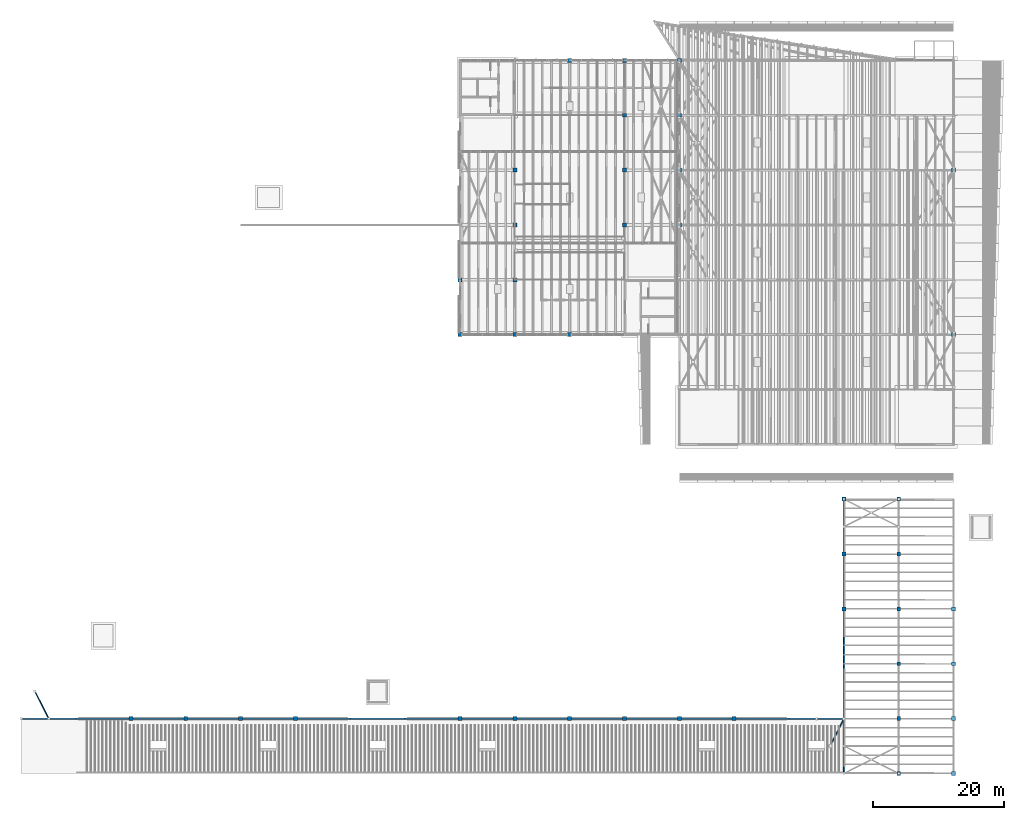
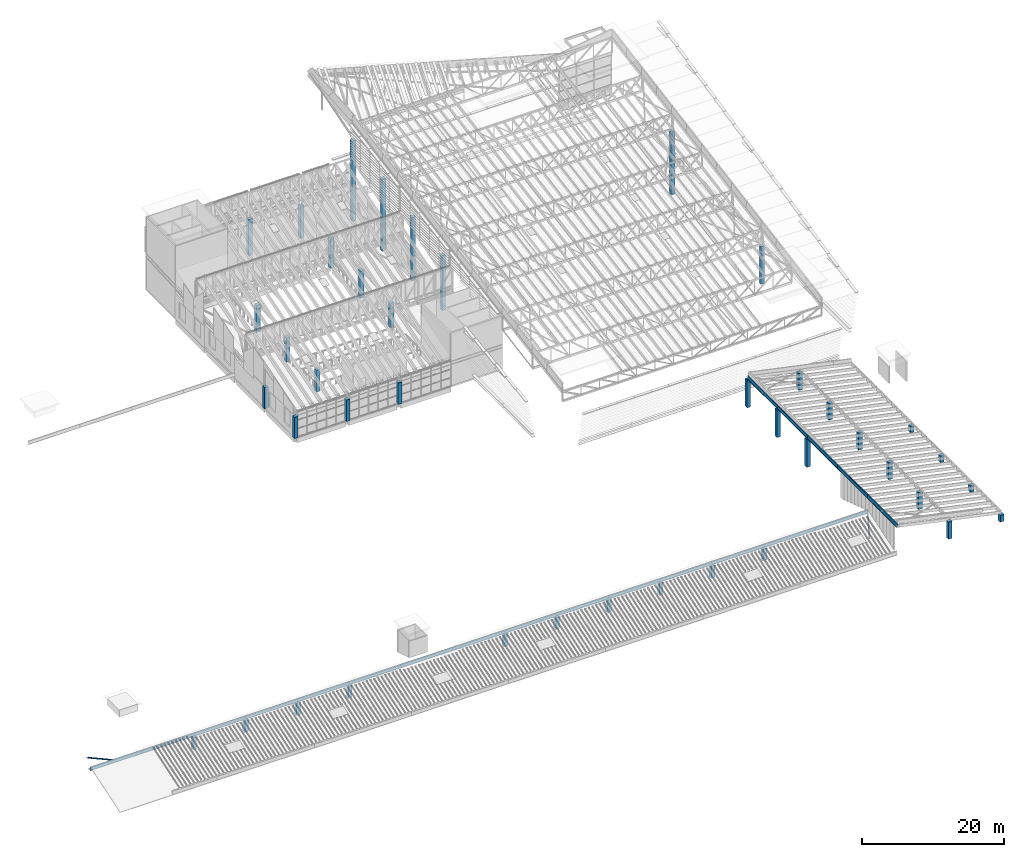
# One storey, part 1 of 91: 41 columns, 20 beams, 2 members.
"""IFC4 building model written with IfcOpenShell, lengths in metres."""

from ifc_helpers import new_model, si_unit, direction, frame, origin, origin_2d, place, context, subcontext, project, spatial, rectangle, hollow_circle, i_section, extrude, material, material_profile, profile_set, type_object, element, save


model = new_model("IFC4")

# Units and contexts
model_context = context("Model", 3, precision=1e-05, world=origin(), true_north=direction((0.0, 1.0)))
body_context = subcontext(model_context, "Body", "Model", "MODEL_VIEW")
ifc_project = project(units=[si_unit("LENGTHUNIT", "METRE"), si_unit("AREAUNIT", "SQUARE_METRE"), si_unit("VOLUMEUNIT", "CUBIC_METRE"), si_unit("PLANEANGLEUNIT", "RADIAN"), si_unit("MASSUNIT", "GRAM", prefix="KILO")], contexts=[model_context])

# Site, building, storey
site_placement = place(None, origin())
site = spatial("IfcSite", under=ifc_project, at=site_placement, CompositionType="ELEMENT")
building_placement = place(site_placement, origin())
building = spatial("IfcBuilding", under=site, at=building_placement, Name="Almond Square Museum", CompositionType="ELEMENT")
storey_placement = place(building_placement, frame((0.0, 0.0, 30.0)))
storey = spatial("IfcBuildingStorey", under=building, at=storey_placement, Name="L05", CompositionType="ELEMENT", Elevation=30.0)

# Columns
ifc_material_1 = material(Name="Concrete C40/50", Category="concrete")
ifc_material_profile_1 = material_profile(ifc_material_1, rectangle(XDim=0.60009765625, YDim=0.60009765625, at=origin_2d()))
ifc_profile_set_1 = profile_set([ifc_material_profile_1], Name="Concrete C40/50")
column_type = type_object("IfcColumnType", Name="RC column 600 x 600 C40/50", PredefinedType="COLUMN", material=ifc_profile_set_1)
for number, where, z_axis, x_axis, name in (
    (1, (22.800048828125, 8.39990234375, 0.0), (0.0, 0.0, 1.0), (1.0, 0.0, 0.0), "Column 4-B L05"),
    (2, (31.199951171875, 8.39990234375, 0.0), (0.0, 0.0, 1.0), (1.0, 0.0, 0.0), "Column 5-B L05"),
    (3, (39.60009765625, 8.39990234375, 0.0), (0.0, 0.0, 1.0), (1.0, 0.0, 0.0), "Column 6-B L05"),
    (4, (48.0, 8.39990234375, 0.0), (0.0, 0.0, 1.0), (1.0, 0.0, 0.0), "Column 7-B L05"),
    (5, (73.199951171875, 8.39990234375, 0.0), (0.0, 0.0, 1.0), (1.0, 0.0, 0.0), "Column 10-B L05"),
    (6, (81.60009765625, 8.39990234375, 0.0), (0.0, 0.0, 1.0), (1.0, 0.0, 0.0), "Column 11-B L05"),
    (7, (90.0, 8.39990234375, 0.0), (0.0, 0.0, 1.0), (1.0, 0.0, 0.0), "Column 12-B L05"),
    (8, (98.39990234375, 8.39990234375, 0.0), (0.0, 0.0, 1.0), (1.0, 0.0, 0.0), "Column 13-B L05"),
    (9, (106.800048828125, 8.39990234375, 0.0), (0.0, 0.0, 1.0), (1.0, 0.0, 0.0), "Column 14-B L05"),
    (10, (115.199951171875, 8.39990234375, 0.0), (0.0, 0.0, 1.0), (1.0, 0.0, 0.0), "Column 15-B L05"),
):
    element("IfcColumn", number, at=place(storey_placement, frame(where, z_axis=z_axis, x_axis=x_axis)), inside=storey, type_object=column_type, Name=name, PredefinedType="COLUMN", context=body_context, shape_type="SweptSolid", body=[
        extrude(rectangle(XDim=0.60009765625, YDim=0.60009765625, at=origin_2d()), origin(), (0.0, 0.0, 1.0), 2.097412109375),
    ])
for number, where, z_axis, x_axis, name in (
    (11, (132.0, 25.199951171875, 0.0), (0.0, 0.0, 1.0), (1.0, 0.0, 0.0), "Column 17-D L05"),
    (12, (132.0, 33.60009765625, 0.0), (0.0, 0.0, 1.0), (1.0, 0.0, 0.0), "Column 17-E L05"),
    (13, (132.0, 42.0, 0.0), (0.0, 0.0, 1.0), (1.0, 0.0, 0.0), "Column 17-F L05"),
):
    element("IfcColumn", number, at=place(storey_placement, frame(where, z_axis=z_axis, x_axis=x_axis)), inside=storey, type_object=column_type, Name=name, PredefinedType="COLUMN", context=body_context, shape_type="SweptSolid", body=[
        extrude(rectangle(XDim=0.60009765625, YDim=0.60009765625, at=origin_2d()), origin(), (0.0, 0.0, 1.0), 4.7099609375),
    ])
for number, where, z_axis, x_axis, name in (
    (14, (140.39990234375, 0.0, 0.0), (0.0, 0.0, 1.0), (1.0, 0.0, 0.0), "Column 18-A L05"),
    (15, (140.39990234375, 8.39990234375, 0.0), (0.0, 0.0, 1.0), (1.0, 0.0, 0.0), "Column 18-B L05"),
    (16, (140.39990234375, 16.800048828125, 0.0), (0.0, 0.0, 1.0), (1.0, 0.0, 0.0), "Column 18-C L05"),
    (17, (140.39990234375, 25.199951171875, 0.0), (0.0, 0.0, 1.0), (1.0, 0.0, 0.0), "Column 18-D L05"),
    (18, (140.39990234375, 33.60009765625, 0.0), (0.0, 0.0, 1.0), (1.0, 0.0, 0.0), "Column 18-E L05"),
    (19, (140.39990234375, 42.0, 0.0), (0.0, 0.0, 1.0), (1.0, 0.0, 0.0), "Column 18-F L05"),
):
    element("IfcColumn", number, at=place(storey_placement, frame(where, z_axis=z_axis, x_axis=x_axis)), inside=storey, type_object=column_type, Name=name, PredefinedType="COLUMN", context=body_context, shape_type="SweptSolid", body=[
        extrude(rectangle(XDim=0.60009765625, YDim=0.60009765625, at=origin_2d()), origin(), (0.0, 0.0, 1.0), 2.925048828125),
    ])
for number, where, z_axis, x_axis, name in (
    (20, (148.800048828125, 0.0, 0.0), (0.0, 0.0, 1.0), (1.0, 0.0, 0.0), "Column 19-A L05"),
    (21, (148.800048828125, 8.39990234375, 0.0), (0.0, 0.0, 1.0), (1.0, 0.0, 0.0), "Column 19-B L05"),
    (22, (148.800048828125, 16.800048828125, 0.0), (0.0, 0.0, 1.0), (1.0, 0.0, 0.0), "Column 19-C L05"),
    (23, (148.800048828125, 25.199951171875, 0.0), (0.0, 0.0, 1.0), (1.0, 0.0, 0.0), "Column 19-D L05"),
):
    element("IfcColumn", number, at=place(storey_placement, frame(where, z_axis=z_axis, x_axis=x_axis)), inside=storey, type_object=column_type, Name=name, PredefinedType="COLUMN", context=body_context, shape_type="SweptSolid", body=[
        extrude(rectangle(XDim=0.60009765625, YDim=0.60009765625, at=origin_2d()), origin(), (0.0, 0.0, 1.0), 1.137451171875),
    ])
column_1_placement = place(storey_placement, frame((73.199951171875, 67.199951171875, 0.0), z_axis=(0.0, 0.0, 1.0), x_axis=(1.0, 0.0, 0.0)))
element("IfcColumn", 24, at=column_1_placement, inside=storey, type_object=column_type, Name="Column 10-I L05 (atrium south eave beam)", PredefinedType="COLUMN", context=body_context, shape_type="SweptSolid", body=[
    extrude(rectangle(XDim=0.60009765625, YDim=0.60009765625, at=origin_2d()), origin(), (0.0, 0.0, 1.0), 3.67041015625),
])
column_2_placement = place(storey_placement, frame((73.199951171875, 75.60009765625, 0.0), z_axis=(0.0, 0.0, 1.0), x_axis=(1.0, 0.0, 0.0)))
element("IfcColumn", 25, at=column_2_placement, inside=storey, type_object=column_type, Name="Column 10-J L05 (atrium roof girder)", PredefinedType="COLUMN", context=body_context, shape_type="SweptSolid", body=[
    extrude(rectangle(XDim=0.60009765625, YDim=0.60009765625, at=origin_2d()), origin(), (0.0, 0.0, 1.0), 3.6533203125),
])
column_3_placement = place(storey_placement, frame((81.60009765625, 67.199951171875, 0.0), z_axis=(0.0, 0.0, 1.0), x_axis=(1.0, 0.0, 0.0)))
element("IfcColumn", 26, at=column_3_placement, inside=storey, type_object=column_type, Name="Column 11-I L05 (atrium south eave beam)", PredefinedType="COLUMN", context=body_context, shape_type="SweptSolid", body=[
    extrude(rectangle(XDim=0.60009765625, YDim=0.60009765625, at=origin_2d()), origin(), (0.0, 0.0, 1.0), 3.67041015625),
])
column_4_placement = place(storey_placement, frame((81.60009765625, 75.60009765625, 0.0), z_axis=(0.0, 0.0, 1.0), x_axis=(1.0, 0.0, 0.0)))
element("IfcColumn", 27, at=column_4_placement, inside=storey, type_object=column_type, Name="Column 11-J L05 (atrium roof girder)", PredefinedType="COLUMN", context=body_context, shape_type="SweptSolid", body=[
    extrude(rectangle(XDim=0.60009765625, YDim=0.60009765625, at=origin_2d()), origin(), (0.0, 0.0, 1.0), 3.6533203125),
])
column_5_placement = place(storey_placement, frame((81.60009765625, 84.0, 0.0), z_axis=(0.0, 0.0, 1.0), x_axis=(1.0, 0.0, 0.0)))
element("IfcColumn", 28, at=column_5_placement, inside=storey, type_object=column_type, Name="Column 11-K L05 (atrium roof girder)", PredefinedType="COLUMN", context=body_context, shape_type="SweptSolid", body=[
    extrude(rectangle(XDim=0.60009765625, YDim=0.60009765625, at=origin_2d()), origin(), (0.0, 0.0, 1.0), 4.13330078125),
])
column_6_placement = place(storey_placement, frame((81.60009765625, 92.39990234375, 0.0), z_axis=(0.0, 0.0, 1.0), x_axis=(1.0, 0.0, 0.0)))
element("IfcColumn", 29, at=column_6_placement, inside=storey, type_object=column_type, Name="Column 11-L L05 (atrium roof girder)", PredefinedType="COLUMN", context=body_context, shape_type="SweptSolid", body=[
    extrude(rectangle(XDim=0.60009765625, YDim=0.60009765625, at=origin_2d()), origin(), (0.0, 0.0, 1.0), 4.61328125),
])
column_7_placement = place(storey_placement, frame((90.0, 67.199951171875, 0.0), z_axis=(0.0, 0.0, 1.0), x_axis=(1.0, 0.0, 0.0)))
element("IfcColumn", 30, at=column_7_placement, inside=storey, type_object=column_type, Name="Column 12-I L05 (atrium south eave beam)", PredefinedType="COLUMN", context=body_context, shape_type="SweptSolid", body=[
    extrude(rectangle(XDim=0.60009765625, YDim=0.60009765625, at=origin_2d()), origin(), (0.0, 0.0, 1.0), 3.67041015625),
])
column_8_placement = place(storey_placement, frame((90.0, 109.199951171875, 0.0), z_axis=(0.0, 0.0, 1.0), x_axis=(1.0, 0.0, 0.0)))
element("IfcColumn", 31, at=column_8_placement, inside=storey, type_object=column_type, Name="Column 12-N L05 (atrium truss midspan)", PredefinedType="COLUMN", context=body_context, shape_type="SweptSolid", body=[
    extrude(rectangle(XDim=0.60009765625, YDim=0.60009765625, at=origin_2d()), origin(), (0.0, 0.0, 1.0), 6.18017578125),
])
column_9_placement = place(storey_placement, frame((98.39990234375, 84.0, 0.0), z_axis=(0.0, 0.0, 1.0), x_axis=(1.0, 0.0, 0.0)))
element("IfcColumn", 32, at=column_9_placement, inside=storey, type_object=column_type, Name="Column 13-K L05 (atrium roof girder)", PredefinedType="COLUMN", context=body_context, shape_type="SweptSolid", body=[
    extrude(rectangle(XDim=0.60009765625, YDim=0.60009765625, at=origin_2d()), origin(), (0.0, 0.0, 1.0), 4.13330078125),
])
column_10_placement = place(storey_placement, frame((98.39990234375, 92.39990234375, 0.0), z_axis=(0.0, 0.0, 1.0), x_axis=(1.0, 0.0, 0.0)))
element("IfcColumn", 33, at=column_10_placement, inside=storey, type_object=column_type, Name="Column 13-L L05 (atrium roof girder)", PredefinedType="COLUMN", context=body_context, shape_type="SweptSolid", body=[
    extrude(rectangle(XDim=0.60009765625, YDim=0.60009765625, at=origin_2d()), origin(), (0.0, 0.0, 1.0), 4.61328125),
])
column_11_placement = place(storey_placement, frame((98.39990234375, 100.800048828125, 0.0), z_axis=(0.0, 0.0, 1.0), x_axis=(1.0, 0.0, 0.0)))
element("IfcColumn", 34, at=column_11_placement, inside=storey, type_object=column_type, Name="Column 13-M L05 (atrium roof girder)", PredefinedType="COLUMN", context=body_context, shape_type="SweptSolid", body=[
    extrude(rectangle(XDim=0.60009765625, YDim=0.60009765625, at=origin_2d()), origin(), (0.0, 0.0, 1.0), 5.09326171875),
])
column_12_placement = place(storey_placement, frame((98.39990234375, 109.199951171875, 0.0), z_axis=(0.0, 0.0, 1.0), x_axis=(1.0, 0.0, 0.0)))
element("IfcColumn", 35, at=column_12_placement, inside=storey, type_object=column_type, Name="Column 13-N L05 (atrium roof girder)", PredefinedType="COLUMN", context=body_context, shape_type="SweptSolid", body=[
    extrude(rectangle(XDim=0.60009765625, YDim=0.60009765625, at=origin_2d()), origin(), (0.0, 0.0, 1.0), 5.5732421875),
])
column_13_placement = place(storey_placement, frame((106.800048828125, 84.0, 0.0), z_axis=(0.0, 0.0, 1.0), x_axis=(1.0, 0.0, 0.0)))
element("IfcColumn", 36, at=column_13_placement, inside=storey, type_object=column_type, Name="Column 14-K L05 (hall truss T4)", PredefinedType="COLUMN", context=body_context, shape_type="SweptSolid", body=[
    extrude(rectangle(XDim=0.60009765625, YDim=0.60009765625, at=origin_2d()), origin(), (0.0, 0.0, 1.0), 9.3798828125),
])
column_14_placement = place(storey_placement, frame((106.800048828125, 92.39990234375, 0.0), z_axis=(0.0, 0.0, 1.0), x_axis=(1.0, 0.0, 0.0)))
element("IfcColumn", 37, at=column_14_placement, inside=storey, type_object=column_type, Name="Column 14-L L05 (hall truss T5)", PredefinedType="COLUMN", context=body_context, shape_type="SweptSolid", body=[
    extrude(rectangle(XDim=0.60009765625, YDim=0.60009765625, at=origin_2d()), origin(), (0.0, 0.0, 1.0), 10.85009765625),
])
column_15_placement = place(storey_placement, frame((106.800048828125, 100.800048828125, 0.0), z_axis=(0.0, 0.0, 1.0), x_axis=(1.0, 0.0, 0.0)))
element("IfcColumn", 38, at=column_15_placement, inside=storey, type_object=column_type, Name="Column 14-M L05 (hall truss T6)", PredefinedType="COLUMN", context=body_context, shape_type="SweptSolid", body=[
    extrude(rectangle(XDim=0.60009765625, YDim=0.60009765625, at=origin_2d()), origin(), (0.0, 0.0, 1.0), 12.320068359375),
])
column_16_placement = place(storey_placement, frame((106.800048828125, 109.199951171875, 0.0), z_axis=(0.0, 0.0, 1.0), x_axis=(1.0, 0.0, 0.0)))
element("IfcColumn", 39, at=column_16_placement, inside=storey, type_object=column_type, Name="Column 14-N L05 (hall truss T7)", PredefinedType="COLUMN", context=body_context, shape_type="SweptSolid", body=[
    extrude(rectangle(XDim=0.60009765625, YDim=0.60009765625, at=origin_2d()), origin(), (0.0, 0.0, 1.0), 13.7900390625),
])
column_17_placement = place(storey_placement, frame((148.800048828125, 67.199951171875, 0.0), z_axis=(0.0, 0.0, 1.0), x_axis=(1.0, 0.0, 0.0)))
element("IfcColumn", 40, at=column_17_placement, inside=storey, type_object=column_type, Name="Column 19-I L05 (hall truss T2)", PredefinedType="COLUMN", context=body_context, shape_type="SweptSolid", body=[
    extrude(rectangle(XDim=0.60009765625, YDim=0.60009765625, at=origin_2d()), origin(), (0.0, 0.0, 1.0), 6.43994140625),
])
column_18_placement = place(storey_placement, frame((148.800048828125, 92.39990234375, 0.0), z_axis=(0.0, 0.0, 1.0), x_axis=(1.0, 0.0, 0.0)))
element("IfcColumn", 41, at=column_18_placement, inside=storey, type_object=column_type, Name="Column 19-L L05 (hall truss T5)", PredefinedType="COLUMN", context=body_context, shape_type="SweptSolid", body=[
    extrude(rectangle(XDim=0.60009765625, YDim=0.60009765625, at=origin_2d()), origin(), (0.0, 0.0, 1.0), 10.85009765625),
])

# Beams
ifc_material_2 = material(Name="Structural steel S355", Category="steel")
ifc_material_profile_2 = material_profile(ifc_material_2, i_section(OverallWidth=0.208984375, OverallDepth=0.532958984375, WebThickness=0.01025390625, FlangeThickness=0.015625, at=origin_2d()))
ifc_profile_set_2 = profile_set([ifc_material_profile_2], Name="Structural steel S355")
beam_type = type_object("IfcBeamType", Name="Roof beam W530x92", PredefinedType="BEAM", material=ifc_profile_set_2)
beam_1_placement = place(storey_placement, frame((6.0, 8.39990234375, 2.343994140625), z_axis=(1.0, 0.0, 0.0), x_axis=(0.0, 1.0, 0.0)))
element("IfcBeam", 42, at=beam_1_placement, inside=storey, type_object=beam_type, Name="V5S roof beam 2.1", PredefinedType="BEAM", context=body_context, shape_type="SweptSolid", body=[
    extrude(i_section(OverallWidth=0.208984375, OverallDepth=0.532958984375, WebThickness=0.01025390625, FlangeThickness=0.015625, at=origin_2d()), origin(), (0.0, 0.0, 1.0), 8.39990234375),
])
beam_2_placement = place(storey_placement, frame((14.39990234375, 8.39990234375, 2.343994140625), z_axis=(1.0, 0.0, 0.0), x_axis=(0.0, 1.0, 0.0)))
element("IfcBeam", 43, at=beam_2_placement, inside=storey, type_object=beam_type, Name="V5S roof beam 2.2", PredefinedType="BEAM", context=body_context, shape_type="SweptSolid", body=[
    extrude(i_section(OverallWidth=0.208984375, OverallDepth=0.532958984375, WebThickness=0.01025390625, FlangeThickness=0.015625, at=origin_2d()), origin(), (0.0, 0.0, 1.0), 8.400146484375),
])
beam_3_placement = place(storey_placement, frame((22.800048828125, 8.39990234375, 2.343994140625), z_axis=(1.0, 0.0, 0.0), x_axis=(0.0, 1.0, 0.0)))
element("IfcBeam", 44, at=beam_3_placement, inside=storey, type_object=beam_type, Name="V5S roof beam 2.3", PredefinedType="BEAM", context=body_context, shape_type="SweptSolid", body=[
    extrude(i_section(OverallWidth=0.208984375, OverallDepth=0.532958984375, WebThickness=0.01025390625, FlangeThickness=0.015625, at=origin_2d()), origin(), (0.0, 0.0, 1.0), 8.39990234375),
])
beam_4_placement = place(storey_placement, frame((31.199951171875, 8.39990234375, 2.343994140625), z_axis=(1.0, 0.0, 0.0), x_axis=(0.0, 1.0, 0.0)))
element("IfcBeam", 45, at=beam_4_placement, inside=storey, type_object=beam_type, Name="V5S roof beam 2.4", PredefinedType="BEAM", context=body_context, shape_type="SweptSolid", body=[
    extrude(i_section(OverallWidth=0.208984375, OverallDepth=0.532958984375, WebThickness=0.01025390625, FlangeThickness=0.015625, at=origin_2d()), origin(), (0.0, 0.0, 1.0), 8.400146484375),
])
for number, where, z_axis, x_axis, name in (
    (46, (39.60009765625, 8.39990234375, 2.343994140625), (1.0, 0.0, 0.0), (0.0, 1.0, 0.0), "V5S roof beam 2.5"),
    (47, (48.0, 8.39990234375, 2.343994140625), (1.0, 0.0, 0.0), (0.0, 1.0, 0.0), "V5S roof beam 2.6"),
):
    element("IfcBeam", number, at=place(storey_placement, frame(where, z_axis=z_axis, x_axis=x_axis)), inside=storey, type_object=beam_type, Name=name, PredefinedType="BEAM", context=body_context, shape_type="SweptSolid", body=[
        extrude(i_section(OverallWidth=0.208984375, OverallDepth=0.532958984375, WebThickness=0.01025390625, FlangeThickness=0.015625, at=origin_2d()), origin(), (0.0, 0.0, 1.0), 8.39990234375),
    ])
beam_5_placement = place(storey_placement, frame((56.39990234375, 8.39990234375, 2.343994140625), z_axis=(1.0, 0.0, 0.0), x_axis=(0.0, 1.0, 0.0)))
element("IfcBeam", 48, at=beam_5_placement, inside=storey, type_object=beam_type, Name="V5S roof beam 2.7", PredefinedType="BEAM", context=body_context, shape_type="SweptSolid", body=[
    extrude(i_section(OverallWidth=0.208984375, OverallDepth=0.532958984375, WebThickness=0.01025390625, FlangeThickness=0.015625, at=origin_2d()), origin(), (0.0, 0.0, 1.0), 8.400146484375),
])
beam_6_placement = place(storey_placement, frame((64.800048828125, 8.39990234375, 2.343994140625), z_axis=(1.0, 0.0, 0.0), x_axis=(0.0, 1.0, 0.0)))
element("IfcBeam", 49, at=beam_6_placement, inside=storey, type_object=beam_type, Name="V5S roof beam 2.8", PredefinedType="BEAM", context=body_context, shape_type="SweptSolid", body=[
    extrude(i_section(OverallWidth=0.208984375, OverallDepth=0.532958984375, WebThickness=0.01025390625, FlangeThickness=0.015625, at=origin_2d()), origin(), (0.0, 0.0, 1.0), 8.39990234375),
])
beam_7_placement = place(storey_placement, frame((73.199951171875, 8.39990234375, 2.343994140625), z_axis=(1.0, 0.0, 0.0), x_axis=(0.0, 1.0, 0.0)))
element("IfcBeam", 50, at=beam_7_placement, inside=storey, type_object=beam_type, Name="V5S roof beam 2.9", PredefinedType="BEAM", context=body_context, shape_type="SweptSolid", body=[
    extrude(i_section(OverallWidth=0.208984375, OverallDepth=0.532958984375, WebThickness=0.01025390625, FlangeThickness=0.015625, at=origin_2d()), origin(), (0.0, 0.0, 1.0), 8.400146484375),
])
for number, where, z_axis, x_axis, name in (
    (51, (81.60009765625, 8.39990234375, 2.343994140625), (1.0, 0.0, 0.0), (0.0, 1.0, 0.0), "V5S roof beam 2.10"),
    (52, (90.0, 8.39990234375, 2.343994140625), (1.0, 0.0, 0.0), (0.0, 1.0, 0.0), "V5S roof beam 2.11"),
):
    element("IfcBeam", number, at=place(storey_placement, frame(where, z_axis=z_axis, x_axis=x_axis)), inside=storey, type_object=beam_type, Name=name, PredefinedType="BEAM", context=body_context, shape_type="SweptSolid", body=[
        extrude(i_section(OverallWidth=0.208984375, OverallDepth=0.532958984375, WebThickness=0.01025390625, FlangeThickness=0.015625, at=origin_2d()), origin(), (0.0, 0.0, 1.0), 8.39990234375),
    ])
beam_8_placement = place(storey_placement, frame((98.39990234375, 8.39990234375, 2.343994140625), z_axis=(1.0, 0.0, 0.0), x_axis=(0.0, 1.0, 0.0)))
element("IfcBeam", 53, at=beam_8_placement, inside=storey, type_object=beam_type, Name="V5S roof beam 2.12", PredefinedType="BEAM", context=body_context, shape_type="SweptSolid", body=[
    extrude(i_section(OverallWidth=0.208984375, OverallDepth=0.532958984375, WebThickness=0.01025390625, FlangeThickness=0.015625, at=origin_2d()), origin(), (0.0, 0.0, 1.0), 8.400146484375),
])
beam_9_placement = place(storey_placement, frame((106.800048828125, 8.39990234375, 2.343994140625), z_axis=(1.0, 0.0, 0.0), x_axis=(0.0, 1.0, 0.0)))
element("IfcBeam", 54, at=beam_9_placement, inside=storey, type_object=beam_type, Name="V5S roof beam 2.13", PredefinedType="BEAM", context=body_context, shape_type="SweptSolid", body=[
    extrude(i_section(OverallWidth=0.208984375, OverallDepth=0.532958984375, WebThickness=0.01025390625, FlangeThickness=0.015625, at=origin_2d()), origin(), (0.0, 0.0, 1.0), 8.39990234375),
])
beam_10_placement = place(storey_placement, frame((115.199951171875, 8.39990234375, 2.343994140625), z_axis=(1.0, 0.0, 0.0), x_axis=(0.0, 1.0, 0.0)))
element("IfcBeam", 55, at=beam_10_placement, inside=storey, type_object=beam_type, Name="V5S roof beam 2.14", PredefinedType="BEAM", context=body_context, shape_type="SweptSolid", body=[
    extrude(i_section(OverallWidth=0.208984375, OverallDepth=0.532958984375, WebThickness=0.01025390625, FlangeThickness=0.015625, at=origin_2d()), origin(), (0.0, 0.0, 1.0), 8.400146484375),
])
for number, where, z_axis, x_axis, name in (
    (56, (123.60009765625, 8.39990234375, 2.343994140625), (1.0, 0.0, 0.0), (0.0, 1.0, 0.0), "V5S roof beam 2.15"),
    (57, (132.0, 0.0, 4.981689453125), (0.0, 1.0, 0.0), (-0.978147600734, 0.0, 0.207911690818), "V5E roof beam 1.1"),
):
    element("IfcBeam", number, at=place(storey_placement, frame(where, z_axis=z_axis, x_axis=x_axis)), inside=storey, type_object=beam_type, Name=name, PredefinedType="BEAM", context=body_context, shape_type="SweptSolid", body=[
        extrude(i_section(OverallWidth=0.208984375, OverallDepth=0.532958984375, WebThickness=0.01025390625, FlangeThickness=0.015625, at=origin_2d()), origin(), (0.0, 0.0, 1.0), 8.39990234375),
    ])
beam_11_placement = place(storey_placement, frame((132.0, 8.39990234375, 4.981689453125), z_axis=(0.0, 1.0, 0.0), x_axis=(-0.978147600734, 0.0, 0.207911690818)))
element("IfcBeam", 58, at=beam_11_placement, inside=storey, type_object=beam_type, Name="V5E roof beam 1.2", PredefinedType="BEAM", context=body_context, shape_type="SweptSolid", body=[
    extrude(i_section(OverallWidth=0.208984375, OverallDepth=0.532958984375, WebThickness=0.01025390625, FlangeThickness=0.015625, at=origin_2d()), origin(), (0.0, 0.0, 1.0), 8.400146484375),
])
beam_12_placement = place(storey_placement, frame((132.0, 16.800048828125, 4.981689453125), z_axis=(0.0, 1.0, 0.0), x_axis=(-0.978147600734, 0.0, 0.207911690818)))
element("IfcBeam", 59, at=beam_12_placement, inside=storey, type_object=beam_type, Name="V5E roof beam 1.3", PredefinedType="BEAM", context=body_context, shape_type="SweptSolid", body=[
    extrude(i_section(OverallWidth=0.208984375, OverallDepth=0.532958984375, WebThickness=0.01025390625, FlangeThickness=0.015625, at=origin_2d()), origin(), (0.0, 0.0, 1.0), 8.39990234375),
])
beam_13_placement = place(storey_placement, frame((132.0, 25.199951171875, 4.981689453125), z_axis=(0.0, 1.0, 0.0), x_axis=(-0.978147600734, 0.0, 0.207911690818)))
element("IfcBeam", 60, at=beam_13_placement, inside=storey, type_object=beam_type, Name="V5E roof beam 1.4", PredefinedType="BEAM", context=body_context, shape_type="SweptSolid", body=[
    extrude(i_section(OverallWidth=0.208984375, OverallDepth=0.532958984375, WebThickness=0.01025390625, FlangeThickness=0.015625, at=origin_2d()), origin(), (0.0, 0.0, 1.0), 8.400146484375),
])
beam_14_placement = place(storey_placement, frame((132.0, 33.60009765625, 4.981689453125), z_axis=(0.0, 1.0, 0.0), x_axis=(-0.978147600734, 0.0, 0.207911690818)))
element("IfcBeam", 61, at=beam_14_placement, inside=storey, type_object=beam_type, Name="V5E roof beam 1.5", PredefinedType="BEAM", context=body_context, shape_type="SweptSolid", body=[
    extrude(i_section(OverallWidth=0.208984375, OverallDepth=0.532958984375, WebThickness=0.01025390625, FlangeThickness=0.015625, at=origin_2d()), origin(), (0.0, 0.0, 1.0), 8.39990234375),
])

# Members
ifc_material_3 = material(Name="Structural steel S355", Category="steel")
ifc_material_profile_3 = material_profile(ifc_material_3, hollow_circle(Radius=0.109619140625, WallThickness=0.010009765625, at=origin_2d()))
ifc_profile_set_3 = profile_set([ifc_material_profile_3], Name="Structural steel S355")
member_type = type_object("IfcMemberType", Name="Roof brace CHS 219.1x10", PredefinedType="BRACE", material=ifc_profile_set_3)
for number, where, z_axis, x_axis, name in (
    (62, (10.199951171875, 8.419921875, 2.354736328125), (-0.431082031175, 0.858154463177, -0.278817502549), (-0.89359059798, -0.448882883613, 0.0), "V5S roof plane brace"),
    (63, (129.89990234375, 4.199951171875, 0.99658203125), (0.431141378704, 0.858122709229, 0.278823470092), (-0.893559144897, 0.448945491759, 0.0), "V5S roof plane brace"),
):
    element("IfcMember", number, at=place(storey_placement, frame(where, z_axis=z_axis, x_axis=x_axis)), inside=storey, type_object=member_type, Name=name, PredefinedType="BRACE", context=body_context, shape_type="SweptSolid", body=[
        extrude(hollow_circle(Radius=0.109619140625, WallThickness=0.010009765625, at=origin_2d()), origin(), (0.0, 0.0, 1.0), 4.87109375),
    ])

save(model, "model.ifc")
